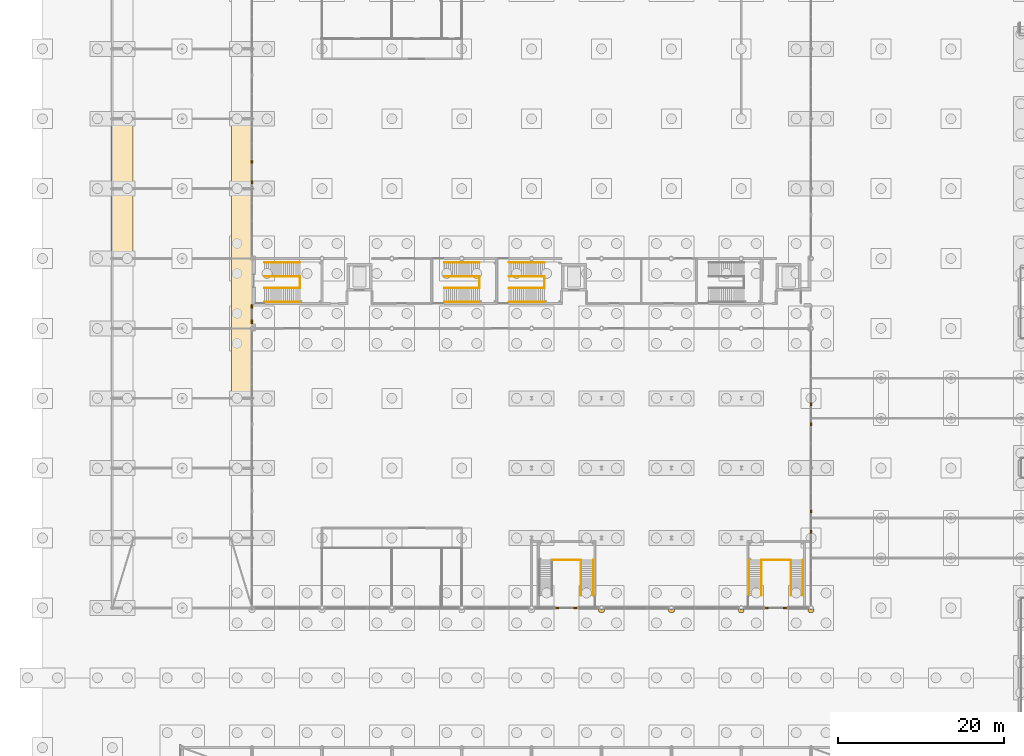
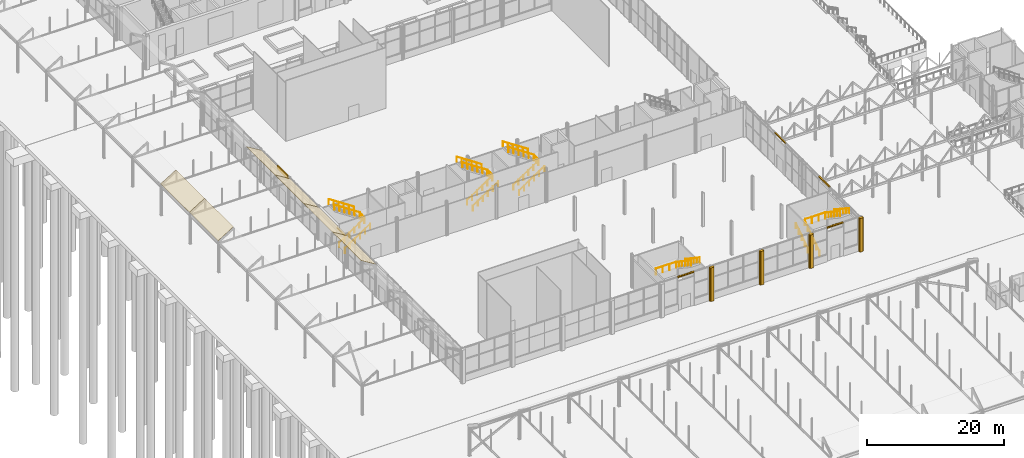
# One storey, part 195 of 212: 23 railings, 16 coverings.
"""IFC4 building model written with IfcOpenShell, lengths in metres."""

import ifcopenshell
import ifcopenshell.guid

model = None  # the IFC model being written
_history = None  # IfcOwnerHistory: only IFC2X3 demands one
_inside = {}  # id of a spatial element -> (the spatial element, [elements in it])
_under = {}  # id of a project, library or spatial element -> (it, [spatial elements below it])
_declared = {}  # id of a project -> (the project, [libraries it declares])
_typed = {}  # id of a type object -> (the type object, [elements of that type])
_made_of = {}  # id of a material, layer set ... -> (it, [elements and type objects made of it])


def new_model(schema):
    """Start an empty IFC model of exactly this schema.

    Asked for "IFC4X3", IfcOpenShell would pick the latest addendum, in which some entities
    have other attributes; the version numbers below select the first issue.
    IFC2X3 requires an IfcOwnerHistory on every rooted entity: one is made here for all.
    """
    global model, _history
    if schema == "IFC4X3":
        model = ifcopenshell.file(schema_version=(4, 3, 0, 0))
    else:
        model = ifcopenshell.file(schema=schema)
    _inside.clear()
    _under.clear()
    _declared.clear()
    _typed.clear()
    _made_of.clear()
    _history = None
    if model.schema == "IFC2X3":
        org = make("IfcOrganization", Name="unknown")
        user = make(
            "IfcPersonAndOrganization",
            ThePerson=make("IfcPerson", FamilyName="unknown"),
            TheOrganization=org,
        )
        app = make(
            "IfcApplication",
            ApplicationDeveloper=org,
            Version="unknown",
            ApplicationFullName="unknown",
            ApplicationIdentifier="unknown",
        )
        _history = make(
            "IfcOwnerHistory",
            OwningUser=user,
            OwningApplication=app,
            ChangeAction="ADDED",
            CreationDate=0,
        )
    return model


def make(cls, **values):
    """One entity of the class cls with the attributes given. An attribute that is None is left unset."""
    return model.create_entity(
        cls, **{name: value for name, value in values.items() if value is not None}
    )


def rooted(cls, **values):
    """An entity with a GlobalId (a new one), such as an element, a storey or a relation."""
    return make(cls, GlobalId=ifcopenshell.guid.new(), OwnerHistory=_history, **values)


def si_unit(unit_type, name, prefix=None):
    """IfcSIUnit, for example si_unit("LENGTHUNIT", "METRE", prefix="MILLI")."""
    return make("IfcSIUnit", UnitType=unit_type, Prefix=prefix, Name=name)


def assignment(units):
    """IfcUnitAssignment: the units of a project."""
    return None if units is None else make("IfcUnitAssignment", Units=units)


def point(xyz):
    """IfcCartesianPoint."""
    return None if xyz is None else make("IfcCartesianPoint", Coordinates=xyz)


def direction(xyz):
    """IfcDirection."""
    return None if xyz is None else make("IfcDirection", DirectionRatios=xyz)


def frame(location, z_axis=None, x_axis=None):
    """IfcAxis2Placement3D, a coordinate frame: its origin and axes. An axis left out is left unset."""
    return make(
        "IfcAxis2Placement3D",
        Location=point(location),
        Axis=direction(z_axis),
        RefDirection=direction(x_axis),
    )


def frame_2d(location, x_axis=None):
    """IfcAxis2Placement2D, a coordinate frame in the plane: its origin and x axis."""
    return make(
        "IfcAxis2Placement2D", Location=point(location), RefDirection=direction(x_axis)
    )


def origin():
    """The frame at (0, 0, 0) with its axes left unset."""
    return frame((0.0, 0.0, 0.0))


def origin_2d():
    """The frame at (0, 0) in the plane with its x axis left unset."""
    return frame_2d((0.0, 0.0))


def place(relative_to, where):
    """IfcLocalPlacement: puts the frame where relative to a parent placement (None: the world)."""
    return make(
        "IfcLocalPlacement", PlacementRelTo=relative_to, RelativePlacement=where
    )


def context(
    kind, dimensions, precision=None, world=None, true_north=None, identifier=None
):
    """IfcGeometricRepresentationContext, for example the 3D "Model" context."""
    return make(
        "IfcGeometricRepresentationContext",
        ContextIdentifier=identifier,
        ContextType=kind,
        CoordinateSpaceDimension=dimensions,
        Precision=precision,
        WorldCoordinateSystem=world,
        TrueNorth=true_north,
    )


def subcontext(parent, identifier, kind, view, scale=None):
    """IfcGeometricRepresentationSubContext, for example "Body" below "Model"."""
    return make(
        "IfcGeometricRepresentationSubContext",
        ContextIdentifier=identifier,
        ContextType=kind,
        ParentContext=parent,
        TargetScale=scale,
        TargetView=view,
    )


def project(units=None, contexts=None):
    """IfcProject with its units and contexts."""
    return rooted(
        "IfcProject",
        Name="project",
        RepresentationContexts=contexts,
        UnitsInContext=assignment(units),
    )


def spatial(cls, under=None, at=None, **own):
    """A site, building, storey or space (cls), placed at a placement, below another one or the project."""
    s = rooted(cls, ObjectPlacement=at, **own)
    if under is not None:
        _under.setdefault(under.id(), (under, []))[1].append(s)
    return s


def polyline(points):
    """IfcPolyline through the points."""
    return make("IfcPolyline", Points=[point(p) for p in points])


def profile(cls, at=None, kind="AREA", **sizes):
    """A parametric profile (cls). Its sizes go by their IFC names, for example OverallWidth=200.0."""
    return make(cls, ProfileType=kind, Position=at, **sizes)


def rectangle(**sizes):
    """IfcRectangleProfileDef."""
    return profile("IfcRectangleProfileDef", **sizes)


def circle(**sizes):
    """IfcCircleProfileDef."""
    return profile("IfcCircleProfileDef", **sizes)


def outline(outer, holes=None, kind="AREA"):
    """IfcArbitraryClosedProfileDef: a profile drawn as a closed curve; with holes, ...WithVoids."""
    if holes is None:
        return make("IfcArbitraryClosedProfileDef", ProfileType=kind, OuterCurve=outer)
    return make(
        "IfcArbitraryProfileDefWithVoids",
        ProfileType=kind,
        OuterCurve=outer,
        InnerCurves=holes,
    )


def extrude(swept, where, along, depth):
    """IfcExtrudedAreaSolid: the profile swept, set in the frame where, extruded along a direction by depth."""
    return make(
        "IfcExtrudedAreaSolid",
        SweptArea=swept,
        Position=where,
        ExtrudedDirection=direction(along),
        Depth=depth,
    )


def shape(context_of_items, identifier, shape_type, items):
    """IfcShapeRepresentation: the items that make up one representation, for example the "Body"."""
    return make(
        "IfcShapeRepresentation",
        ContextOfItems=context_of_items,
        RepresentationIdentifier=identifier,
        RepresentationType=shape_type,
        Items=items,
    )


def material(Name=None, Category=None):
    """IfcMaterial."""
    return make("IfcMaterial", Name=Name, Category=Category)


def layer(
    of_material, thickness, ventilated=None, Name=None, Category=None, Priority=None
):
    """IfcMaterialLayer: one layer of a wall or slab, of a material (None: an air gap)."""
    return make(
        "IfcMaterialLayer",
        Material=of_material,
        LayerThickness=thickness,
        IsVentilated=ventilated,
        Name=Name,
        Category=Category,
        Priority=Priority,
    )


def layer_set(layers, Name=None):
    """IfcMaterialLayerSet."""
    return make("IfcMaterialLayerSet", MaterialLayers=layers, LayerSetName=Name)


def made_of(thing, what):
    """Note that an element or type object is made of a material, layer set ...; save() writes the relation."""
    if what is not None:
        _made_of.setdefault(what.id(), (what, []))[1].append(thing)
    return thing


def type_object(cls, material=None, **own):
    """A type object (cls), such as IfcWallType, which elements share."""
    return made_of(rooted(cls, **own), material)


def element(
    cls,
    number,
    at=None,
    inside=None,
    cuts=None,
    type_object=None,
    material=None,
    context=None,
    identifier="Body",
    shape_type=None,
    held_by="IfcProductDefinitionShape",
    body=None,
    shapes=None,
    **own,
):
    """One element of the class cls, such as IfcWall. Its Tag is "e" and its number.

    at: its placement. inside: the storey or other place that contains it. cuts: it is an
    opening in that element (IfcRelVoidsElement). A single representation is given by context,
    identifier, shape_type and body (its items); several are given by shapes. held_by: the class
    of the entity that holds the representations. save() writes the other relations.
    """
    e = rooted(cls, Tag="e%d" % number, ObjectPlacement=at, **own)
    if body is not None:
        shapes = [shape(context, identifier, shape_type, body)]
    if shapes is not None:
        e.Representation = make(held_by, Representations=shapes)
    if inside is not None:
        _inside.setdefault(inside.id(), (inside, []))[1].append(e)
    if cuts is not None:
        rooted(
            "IfcRelVoidsElement", RelatingBuildingElement=cuts, RelatedOpeningElement=e
        )
    if type_object is not None:
        _typed.setdefault(type_object.id(), (type_object, []))[1].append(e)
    return made_of(e, material)


def aggregate(whole, parts):
    """IfcRelAggregates: a whole, such as a stair, and the parts it consists of."""
    return rooted("IfcRelAggregates", RelatingObject=whole, RelatedObjects=parts)


def save(model, path):
    """Write the relations noted so far, then the file.

    IfcRelAggregates (storeys below a building ...), IfcRelContainedInSpatialStructure (elements
    in a storey), IfcRelDefinesByType, IfcRelAssociatesMaterial and IfcRelDeclares: one each for
    every whole, place, type object, material and project.
    """
    for whole, parts in _under.values():
        aggregate(whole, parts)
    for where, things in _inside.values():
        rooted(
            "IfcRelContainedInSpatialStructure",
            RelatedElements=things,
            RelatingStructure=where,
        )
    for kind, things in _typed.values():
        rooted("IfcRelDefinesByType", RelatedObjects=things, RelatingType=kind)
    for what, things in _made_of.values():
        rooted("IfcRelAssociatesMaterial", RelatedObjects=things, RelatingMaterial=what)
    for by, libraries in _declared.values():
        rooted("IfcRelDeclares", RelatingContext=by, RelatedDefinitions=libraries)
    model.write(path)


model = new_model("IFC4")

# Units and contexts
model_context = context("Model", 3, precision=1e-05, world=origin(), true_north=direction((0.0, 1.0)))
body_context = subcontext(model_context, "Body", "Model", "MODEL_VIEW")
ifc_project = project(units=[si_unit("LENGTHUNIT", "METRE"), si_unit("AREAUNIT", "SQUARE_METRE"), si_unit("VOLUMEUNIT", "CUBIC_METRE"), si_unit("PLANEANGLEUNIT", "RADIAN"), si_unit("MASSUNIT", "GRAM", prefix="KILO")], contexts=[model_context])

# Site, building, storey
site_placement = place(None, origin())
site = spatial("IfcSite", under=ifc_project, at=site_placement, CompositionType="ELEMENT")
building_placement = place(site_placement, origin())
building = spatial("IfcBuilding", under=site, at=building_placement, Name="Catenary Quay Ferry Terminal", CompositionType="ELEMENT")
storey_placement = place(building_placement, origin())
storey = spatial("IfcBuildingStorey", under=building, at=storey_placement, Name="L00", CompositionType="ELEMENT", Elevation=0.0)

# Coverings
ifc_material_1 = material(Name="Ceramic tile")
ifc_layer_1 = layer(ifc_material_1, 0.0400390625)
ifc_layer_set_1 = layer_set([ifc_layer_1], Name="CL2")
covering_type_1 = type_object("IfcCoveringType", Name="CL2", PredefinedType="CLADDING", material=ifc_layer_set_1)
covering_1_placement = place(storey_placement, origin())
element("IfcCovering", 1, at=covering_1_placement, inside=storey, type_object=covering_type_1, Name="Ceramic pier casing", PredefinedType="CLADDING", context=body_context, shape_type="SweptSolid", body=[
    extrude(outline(polyline([(66.845947265625, 67.0458984375), (66.845947265625, 66.76611328125), (66.946044921875, 66.76611328125), (66.946044921875, 66.64599609375), (67.4541015625, 66.64599609375), (67.4541015625, 66.76611328125), (67.553955078125, 66.76611328125), (67.553955078125, 67.0458984375), (66.845947265625, 67.0458984375)])), origin(), (0.0, 0.0, 1.0), 6.0),
])
covering_2_placement = place(storey_placement, origin())
element("IfcCovering", 2, at=covering_2_placement, inside=storey, type_object=covering_type_1, Name="Ceramic pier casing", PredefinedType="CLADDING", context=body_context, shape_type="SweptSolid", body=[
    extrude(outline(polyline([(75.24609375, 67.0458984375), (75.24609375, 66.76611328125), (75.345947265625, 66.76611328125), (75.345947265625, 66.64599609375), (75.85400390625, 66.64599609375), (75.85400390625, 66.76611328125), (75.9541015625, 66.76611328125), (75.9541015625, 67.0458984375), (75.24609375, 67.0458984375)])), origin(), (0.0, 0.0, 1.0), 6.0),
])
covering_3_placement = place(storey_placement, origin())
element("IfcCovering", 3, at=covering_3_placement, inside=storey, type_object=covering_type_1, Name="Ceramic pier casing", PredefinedType="CLADDING", context=body_context, shape_type="SweptSolid", body=[
    extrude(outline(polyline([(83.64599609375, 67.0458984375), (83.64599609375, 66.76611328125), (83.74609375, 66.76611328125), (83.74609375, 66.64599609375), (84.25390625, 66.64599609375), (84.25390625, 66.76611328125), (84.35400390625, 66.76611328125), (84.35400390625, 67.0458984375), (83.64599609375, 67.0458984375)])), origin(), (0.0, 0.0, 1.0), 6.0),
])
covering_4_placement = place(storey_placement, origin())
element("IfcCovering", 4, at=covering_4_placement, inside=storey, type_object=covering_type_1, Name="Ceramic pier casing", PredefinedType="CLADDING", context=body_context, shape_type="SweptSolid", body=[
    extrude(outline(polyline([(92.0458984375, 67.0458984375), (92.0458984375, 66.76611328125), (92.14599609375, 66.76611328125), (92.14599609375, 66.64599609375), (92.654052734375, 66.64599609375), (92.654052734375, 66.76611328125), (92.75390625, 66.76611328125), (92.75390625, 67.0458984375), (92.0458984375, 67.0458984375)])), origin(), (0.0, 0.0, 1.0), 6.0),
])
ifc_material_2 = material(Name="Ceramic tile")
ifc_layer_2 = layer(ifc_material_2, 0.034912109375)
ifc_layer_set_2 = layer_set([ifc_layer_2], Name="CL5")
covering_type_2 = type_object("IfcCoveringType", Name="CL5", PredefinedType="CLADDING", material=ifc_layer_set_2)
for number, where, z_axis, x_axis, name in (
    (5, (92.39990234375, 77.550048828125, 5.80029296875), (0.0, 0.0, 1.0), (1.0, 0.0, 0.0), "Slot gable arrivals hall cladding CL5"),
    (6, (92.39990234375, 90.449951171875, 5.80029296875), (0.0, 0.0, 1.0), (1.0, 0.0, 0.0), "Slot gable arrivals hall cladding CL5"),
):
    element("IfcCovering", number, at=place(storey_placement, frame(where, z_axis=z_axis, x_axis=x_axis)), inside=storey, type_object=covering_type_2, Name=name, PredefinedType="CLADDING", context=body_context, shape_type="SweptSolid", body=[
        extrude(rectangle(XDim=0.199951171875, YDim=3.110107421875, at=origin_2d()), origin(), (0.0, 0.0, 1.0), 0.19970703125),
    ])
covering_5_placement = place(storey_placement, frame((25.199951171875, 119.550048828125, 5.32666015625), z_axis=(0.0, 0.0, 1.0), x_axis=(1.0, 0.0, 0.0)))
element("IfcCovering", 7, at=covering_5_placement, inside=storey, type_object=covering_type_2, Name="Slot gable departure hall cladding CL5", PredefinedType="CLADDING", context=body_context, shape_type="SweptSolid", body=[
    extrude(rectangle(XDim=0.199951171875, YDim=3.110107421875, at=origin_2d()), origin(), (0.0, 0.0, 1.0), 0.67333984375),
])
for number, where, z_axis, x_axis, name in (
    (8, (63.0, 67.199951171875, 5.80029296875), (0.0, 0.0, 1.0), (1.0, 0.0, 0.0), "Slot front hall cladding CL5"),
    (9, (88.199951171875, 67.199951171875, 5.80029296875), (0.0, 0.0, 1.0), (1.0, 0.0, 0.0), "Slot front hall cladding CL5"),
):
    element("IfcCovering", number, at=place(storey_placement, frame(where, z_axis=z_axis, x_axis=x_axis)), inside=storey, type_object=covering_type_2, Name=name, PredefinedType="CLADDING", context=body_context, shape_type="SweptSolid", body=[
        extrude(rectangle(XDim=2.699951171875, YDim=0.199951171875, at=origin_2d()), origin(), (0.0, 0.0, 1.0), 0.19970703125),
    ])
covering_6_placement = place(storey_placement, frame((25.199951171875, 102.5, 5.32666015625), z_axis=(0.0, 0.0, 1.0), x_axis=(1.0, 0.0, 0.0)))
element("IfcCovering", 10, at=covering_6_placement, inside=storey, type_object=covering_type_2, Name="Slot front spine corridor cladding CL5", PredefinedType="CLADDING", context=body_context, shape_type="SweptSolid", body=[
    extrude(rectangle(XDim=0.199951171875, YDim=2.300048828125, at=origin_2d()), origin(), (0.0, 0.0, 1.0), 0.0732421875),
])

# Railings
ifc_material_3 = material(Name="Steel and glass", Category="steel")
railing_type_1 = type_object("IfcRailingType", Name="GI1", PredefinedType="GUARDRAIL", material=ifc_material_3)
for number, where, name in (
    (11, (30.949951171875, 105.699951171875, 3.0), "TS1 landing guard GI279"),
    (12, (52.550048828125, 105.699951171875, 3.0), "TS2 landing guard GI289"),
    (13, (60.35009765625, 105.699951171875, 3.0), "TS4 landing guard GI309"),
):
    element("IfcRailing", number, at=place(storey_placement, frame(where)), inside=storey, type_object=railing_type_1, Name=name, PredefinedType="GUARDRAIL", context=body_context, shape_type="SweptSolid", body=[
        extrude(circle(Radius=0.02392578125, at=origin_2d()), frame((0.0, 0.0, 1.076171875), z_axis=(0.0, 1.0, 0.0), x_axis=(-1.0, 0.0, 0.0)), (0.0, 0.0, 1.0), 1.300048828125),
        extrude(circle(Radius=0.02099609375, at=origin_2d()), origin(), (0.0, 0.0, 1.0), 1.052001953125),
        extrude(circle(Radius=0.02099609375, at=origin_2d()), frame((0.0, 0.64990234375, 0.0)), (0.0, 0.0, 1.0), 1.052001953125),
        extrude(circle(Radius=0.02099609375, at=origin_2d()), frame((0.0, 1.300048828125, 0.0)), (0.0, 0.0, 1.0), 1.052001953125),
    ])
for number, where, name in (
    (14, (86.5, 72.949951171875, 3.0), "TS5 landing guard GI320"),
    (15, (61.300048828125, 72.949951171875, 3.0), "TS6 landing guard GI330"),
):
    element("IfcRailing", number, at=place(storey_placement, frame(where)), inside=storey, type_object=railing_type_1, Name=name, PredefinedType="GUARDRAIL", context=body_context, shape_type="SweptSolid", body=[
        extrude(circle(Radius=0.02392578125, at=origin_2d()), frame((0.0, 0.0, 1.076171875), z_axis=(1.0, 0.0, 0.0), x_axis=(0.0, 1.0, 0.0)), (0.0, 0.0, 1.0), 3.39990234375),
        extrude(circle(Radius=0.02099609375, at=origin_2d()), origin(), (0.0, 0.0, 1.0), 1.052001953125),
        extrude(circle(Radius=0.02099609375, at=origin_2d()), frame((1.13330078125, 0.0, 0.0)), (0.0, 0.0, 1.0), 1.052001953125),
        extrude(circle(Radius=0.02099609375, at=origin_2d()), frame((2.2666015625, 0.0, 0.0)), (0.0, 0.0, 1.0), 1.052001953125),
        extrude(circle(Radius=0.02099609375, at=origin_2d()), frame((3.39990234375, 0.0, 0.0)), (0.0, 0.0, 1.0), 1.052001953125),
    ])
ifc_material_4 = material(Name="Stainless steel", Category="steel")
railing_type_2 = type_object("IfcRailingType", Name="HR1", PredefinedType="HANDRAIL", material=ifc_material_4)
for number, where, name in (
    (16, (26.699951171875, 103.9599609375, 0.166748046875), "TS1 F1A handrail HR274"),
    (17, (26.699951171875, 105.639892578125, 0.166748046875), "TS1 F1B handrail HR275"),
):
    element("IfcRailing", number, at=place(storey_placement, frame(where)), inside=storey, type_object=railing_type_2, Name=name, PredefinedType="HANDRAIL", context=body_context, shape_type="SweptSolid", body=[
        extrude(circle(Radius=0.02392578125, at=origin_2d()), frame((0.0, 0.0, 0.8759765625), z_axis=(0.832057647715, 0.0, 0.554689166001), x_axis=(0.0, 1.0, 0.0)), (0.0, 0.0, 1.0), 5.10791015625),
        extrude(circle(Radius=0.02099609375, at=origin_2d()), origin(), (0.0, 0.0, 1.0), 0.851806640625),
        extrude(circle(Radius=0.02099609375, at=origin_2d()), frame((0.85009765625, 0.0, 0.566650390625)), (0.0, 0.0, 1.0), 0.851806640625),
        extrude(circle(Radius=0.02099609375, at=origin_2d()), frame((1.699951171875, 0.0, 1.13330078125)), (0.0, 0.0, 1.0), 0.851806640625),
        extrude(circle(Radius=0.02099609375, at=origin_2d()), frame((2.550048828125, 0.0, 1.699951171875)), (0.0, 0.0, 1.0), 0.851806640625),
        extrude(circle(Radius=0.02099609375, at=origin_2d()), frame((3.39990234375, 0.0, 2.2666015625)), (0.0, 0.0, 1.0), 0.851806640625),
        extrude(circle(Radius=0.02099609375, at=origin_2d()), frame((4.25, 0.0, 2.833251953125)), (0.0, 0.0, 1.0), 0.851806640625),
    ])
for number, where, name in (
    (18, (30.949951171875, 107.06005859375, 3.166748046875), "TS1 F2A handrail HR276"),
    (19, (30.949951171875, 108.739990234375, 3.166748046875), "TS1 F2B handrail HR277"),
):
    element("IfcRailing", number, at=place(storey_placement, frame(where)), inside=storey, type_object=railing_type_2, Name=name, PredefinedType="HANDRAIL", context=body_context, shape_type="SweptSolid", body=[
        extrude(circle(Radius=0.02392578125, at=origin_2d()), frame((0.0, 0.0, 0.8759765625), z_axis=(-0.832057647715, 0.0, 0.554689166001), x_axis=(0.0, -1.0, 0.0)), (0.0, 0.0, 1.0), 5.10791015625),
        extrude(circle(Radius=0.02099609375, at=origin_2d()), origin(), (0.0, 0.0, 1.0), 0.851806640625),
        extrude(circle(Radius=0.02099609375, at=origin_2d()), frame((-0.85009765625, 0.0, 0.566650390625)), (0.0, 0.0, 1.0), 0.851806640625),
        extrude(circle(Radius=0.02099609375, at=origin_2d()), frame((-1.699951171875, 0.0, 1.13330078125)), (0.0, 0.0, 1.0), 0.851806640625),
        extrude(circle(Radius=0.02099609375, at=origin_2d()), frame((-2.550048828125, 0.0, 1.699951171875)), (0.0, 0.0, 1.0), 0.851806640625),
        extrude(circle(Radius=0.02099609375, at=origin_2d()), frame((-3.39990234375, 0.0, 2.2666015625)), (0.0, 0.0, 1.0), 0.851806640625),
        extrude(circle(Radius=0.02099609375, at=origin_2d()), frame((-4.25, 0.0, 2.833251953125)), (0.0, 0.0, 1.0), 0.851806640625),
    ])
for number, where, name in (
    (20, (48.300048828125, 103.9599609375, 0.166748046875), "TS2 F1A handrail HR284"),
    (21, (48.300048828125, 105.639892578125, 0.166748046875), "TS2 F1B handrail HR285"),
):
    element("IfcRailing", number, at=place(storey_placement, frame(where)), inside=storey, type_object=railing_type_2, Name=name, PredefinedType="HANDRAIL", context=body_context, shape_type="SweptSolid", body=[
        extrude(circle(Radius=0.02392578125, at=origin_2d()), frame((0.0, 0.0, 0.8759765625), z_axis=(0.832057647715, 0.0, 0.554689166001), x_axis=(0.0, 1.0, 0.0)), (0.0, 0.0, 1.0), 5.10791015625),
        extrude(circle(Radius=0.02099609375, at=origin_2d()), origin(), (0.0, 0.0, 1.0), 0.851806640625),
        extrude(circle(Radius=0.02099609375, at=origin_2d()), frame((0.85009765625, 0.0, 0.566650390625)), (0.0, 0.0, 1.0), 0.851806640625),
        extrude(circle(Radius=0.02099609375, at=origin_2d()), frame((1.699951171875, 0.0, 1.13330078125)), (0.0, 0.0, 1.0), 0.851806640625),
        extrude(circle(Radius=0.02099609375, at=origin_2d()), frame((2.550048828125, 0.0, 1.699951171875)), (0.0, 0.0, 1.0), 0.851806640625),
        extrude(circle(Radius=0.02099609375, at=origin_2d()), frame((3.39990234375, 0.0, 2.2666015625)), (0.0, 0.0, 1.0), 0.851806640625),
        extrude(circle(Radius=0.02099609375, at=origin_2d()), frame((4.25, 0.0, 2.833251953125)), (0.0, 0.0, 1.0), 0.851806640625),
    ])
for number, where, name in (
    (22, (52.550048828125, 107.06005859375, 3.166748046875), "TS2 F2A handrail HR286"),
    (23, (52.550048828125, 108.739990234375, 3.166748046875), "TS2 F2B handrail HR287"),
):
    element("IfcRailing", number, at=place(storey_placement, frame(where)), inside=storey, type_object=railing_type_2, Name=name, PredefinedType="HANDRAIL", context=body_context, shape_type="SweptSolid", body=[
        extrude(circle(Radius=0.02392578125, at=origin_2d()), frame((0.0, 0.0, 0.8759765625), z_axis=(-0.832057647715, 0.0, 0.554689166001), x_axis=(0.0, -1.0, 0.0)), (0.0, 0.0, 1.0), 5.10791015625),
        extrude(circle(Radius=0.02099609375, at=origin_2d()), origin(), (0.0, 0.0, 1.0), 0.851806640625),
        extrude(circle(Radius=0.02099609375, at=origin_2d()), frame((-0.85009765625, 0.0, 0.566650390625)), (0.0, 0.0, 1.0), 0.851806640625),
        extrude(circle(Radius=0.02099609375, at=origin_2d()), frame((-1.699951171875, 0.0, 1.13330078125)), (0.0, 0.0, 1.0), 0.851806640625),
        extrude(circle(Radius=0.02099609375, at=origin_2d()), frame((-2.550048828125, 0.0, 1.699951171875)), (0.0, 0.0, 1.0), 0.851806640625),
        extrude(circle(Radius=0.02099609375, at=origin_2d()), frame((-3.39990234375, 0.0, 2.2666015625)), (0.0, 0.0, 1.0), 0.851806640625),
        extrude(circle(Radius=0.02099609375, at=origin_2d()), frame((-4.25, 0.0, 2.833251953125)), (0.0, 0.0, 1.0), 0.851806640625),
    ])
for number, where, name in (
    (24, (56.10009765625, 103.9599609375, 0.166748046875), "TS4 F1A handrail HR304"),
    (25, (56.10009765625, 105.639892578125, 0.166748046875), "TS4 F1B handrail HR305"),
):
    element("IfcRailing", number, at=place(storey_placement, frame(where)), inside=storey, type_object=railing_type_2, Name=name, PredefinedType="HANDRAIL", context=body_context, shape_type="SweptSolid", body=[
        extrude(circle(Radius=0.02392578125, at=origin_2d()), frame((0.0, 0.0, 0.8759765625), z_axis=(0.832057647715, 0.0, 0.554689166001), x_axis=(0.0, 1.0, 0.0)), (0.0, 0.0, 1.0), 5.10791015625),
        extrude(circle(Radius=0.02099609375, at=origin_2d()), origin(), (0.0, 0.0, 1.0), 0.851806640625),
        extrude(circle(Radius=0.02099609375, at=origin_2d()), frame((0.85009765625, 0.0, 0.566650390625)), (0.0, 0.0, 1.0), 0.851806640625),
        extrude(circle(Radius=0.02099609375, at=origin_2d()), frame((1.699951171875, 0.0, 1.13330078125)), (0.0, 0.0, 1.0), 0.851806640625),
        extrude(circle(Radius=0.02099609375, at=origin_2d()), frame((2.550048828125, 0.0, 1.699951171875)), (0.0, 0.0, 1.0), 0.851806640625),
        extrude(circle(Radius=0.02099609375, at=origin_2d()), frame((3.39990234375, 0.0, 2.2666015625)), (0.0, 0.0, 1.0), 0.851806640625),
        extrude(circle(Radius=0.02099609375, at=origin_2d()), frame((4.25, 0.0, 2.833251953125)), (0.0, 0.0, 1.0), 0.851806640625),
    ])
for number, where, name in (
    (26, (60.35009765625, 107.06005859375, 3.166748046875), "TS4 F2A handrail HR306"),
    (27, (60.35009765625, 108.739990234375, 3.166748046875), "TS4 F2B handrail HR307"),
):
    element("IfcRailing", number, at=place(storey_placement, frame(where)), inside=storey, type_object=railing_type_2, Name=name, PredefinedType="HANDRAIL", context=body_context, shape_type="SweptSolid", body=[
        extrude(circle(Radius=0.02392578125, at=origin_2d()), frame((0.0, 0.0, 0.8759765625), z_axis=(-0.832057647715, 0.0, 0.554689166001), x_axis=(0.0, -1.0, 0.0)), (0.0, 0.0, 1.0), 5.10791015625),
        extrude(circle(Radius=0.02099609375, at=origin_2d()), origin(), (0.0, 0.0, 1.0), 0.851806640625),
        extrude(circle(Radius=0.02099609375, at=origin_2d()), frame((-0.85009765625, 0.0, 0.566650390625)), (0.0, 0.0, 1.0), 0.851806640625),
        extrude(circle(Radius=0.02099609375, at=origin_2d()), frame((-1.699951171875, 0.0, 1.13330078125)), (0.0, 0.0, 1.0), 0.851806640625),
        extrude(circle(Radius=0.02099609375, at=origin_2d()), frame((-2.550048828125, 0.0, 1.699951171875)), (0.0, 0.0, 1.0), 0.851806640625),
        extrude(circle(Radius=0.02099609375, at=origin_2d()), frame((-3.39990234375, 0.0, 2.2666015625)), (0.0, 0.0, 1.0), 0.851806640625),
        extrude(circle(Radius=0.02099609375, at=origin_2d()), frame((-4.25, 0.0, 2.833251953125)), (0.0, 0.0, 1.0), 0.851806640625),
    ])
for number, where, name in (
    (28, (84.9599609375, 68.699951171875, 0.166748046875), "TS5 F1A handrail HR315"),
    (29, (86.43994140625, 68.699951171875, 0.166748046875), "TS5 F1B handrail HR316"),
):
    element("IfcRailing", number, at=place(storey_placement, frame(where)), inside=storey, type_object=railing_type_2, Name=name, PredefinedType="HANDRAIL", context=body_context, shape_type="SweptSolid", body=[
        extrude(circle(Radius=0.02392578125, at=origin_2d()), frame((0.0, 0.0, 0.8759765625), z_axis=(0.0, 0.832057647715, 0.554689166001), x_axis=(-1.0, 0.0, 0.0)), (0.0, 0.0, 1.0), 5.10791015625),
        extrude(circle(Radius=0.02099609375, at=origin_2d()), origin(), (0.0, 0.0, 1.0), 0.851806640625),
        extrude(circle(Radius=0.02099609375, at=origin_2d()), frame((0.0, 0.85009765625, 0.566650390625)), (0.0, 0.0, 1.0), 0.851806640625),
        extrude(circle(Radius=0.02099609375, at=origin_2d()), frame((0.0, 1.699951171875, 1.13330078125)), (0.0, 0.0, 1.0), 0.851806640625),
        extrude(circle(Radius=0.02099609375, at=origin_2d()), frame((0.0, 2.550048828125, 1.699951171875)), (0.0, 0.0, 1.0), 0.851806640625),
        extrude(circle(Radius=0.02099609375, at=origin_2d()), frame((0.0, 3.39990234375, 2.2666015625)), (0.0, 0.0, 1.0), 0.851806640625),
        extrude(circle(Radius=0.02099609375, at=origin_2d()), frame((0.0, 4.25, 2.833251953125)), (0.0, 0.0, 1.0), 0.851806640625),
    ])
for number, where, name in (
    (30, (89.9599609375, 72.949951171875, 3.166748046875), "TS5 F2A handrail HR317"),
    (31, (91.43994140625, 72.949951171875, 3.166748046875), "TS5 F2B handrail HR318"),
    (32, (64.760009765625, 72.949951171875, 3.166748046875), "TS6 F2A handrail HR327"),
    (33, (66.239990234375, 72.949951171875, 3.166748046875), "TS6 F2B handrail HR328"),
):
    element("IfcRailing", number, at=place(storey_placement, frame(where)), inside=storey, type_object=railing_type_2, Name=name, PredefinedType="HANDRAIL", context=body_context, shape_type="SweptSolid", body=[
        extrude(circle(Radius=0.02392578125, at=origin_2d()), frame((0.0, 0.0, 0.8759765625), z_axis=(0.0, -0.832057647715, 0.554689166001), x_axis=(1.0, 0.0, 0.0)), (0.0, 0.0, 1.0), 5.10791015625),
        extrude(circle(Radius=0.02099609375, at=origin_2d()), origin(), (0.0, 0.0, 1.0), 0.851806640625),
        extrude(circle(Radius=0.02099609375, at=origin_2d()), frame((0.0, -0.85009765625, 0.566650390625)), (0.0, 0.0, 1.0), 0.851806640625),
        extrude(circle(Radius=0.02099609375, at=origin_2d()), frame((0.0, -1.699951171875, 1.13330078125)), (0.0, 0.0, 1.0), 0.851806640625),
        extrude(circle(Radius=0.02099609375, at=origin_2d()), frame((0.0, -2.550048828125, 1.699951171875)), (0.0, 0.0, 1.0), 0.851806640625),
        extrude(circle(Radius=0.02099609375, at=origin_2d()), frame((0.0, -3.39990234375, 2.2666015625)), (0.0, 0.0, 1.0), 0.851806640625),
        extrude(circle(Radius=0.02099609375, at=origin_2d()), frame((0.0, -4.25, 2.833251953125)), (0.0, 0.0, 1.0), 0.851806640625),
    ])

# Coverings
ifc_material_5 = material(Name="Laminated glass", Category="glass")
ifc_layer_3 = layer(ifc_material_5, 0.030029296875)
ifc_layer_set_3 = layer_set([ifc_layer_3], Name="RF2")
covering_type_3 = type_object("IfcCoveringType", Name="RF2", PredefinedType="ROOFING", material=ifc_layer_set_3)
covering_7_placement = place(storey_placement, frame((22.74169921875, 92.39990234375, 7.2158203125), z_axis=(0.524540171999, 0.0, 0.851385698705), x_axis=(0.0, 1.0, 0.0)))
element("IfcCovering", 34, at=covering_7_placement, inside=storey, type_object=covering_type_3, Name="Forecourt canopy roof", PredefinedType="ROOFING", context=body_context, shape_type="SweptSolid", body=[
    extrude(outline(polyline([(0.0, 0.0), (8.400146484375, 0.0), (8.400146484375, -3.0453570472743348), (0.0, -3.0453570472743348), (0.0, 0.0)])), origin(), (0.0, 0.0, -1.0), 0.03515625),
])
covering_8_placement = place(storey_placement, frame((22.74169921875, 100.800048828125, 7.2158203125), z_axis=(0.524540171999, 0.0, 0.851385698705), x_axis=(0.0, 1.0, 0.0)))
element("IfcCovering", 35, at=covering_8_placement, inside=storey, type_object=covering_type_3, Name="Forecourt canopy roof", PredefinedType="ROOFING", context=body_context, shape_type="SweptSolid", body=[
    extrude(outline(polyline([(0.0, 0.0), (8.39990234375, 0.0), (8.39990234375, -3.0453570472743348), (0.0, -3.0453570472743348), (0.0, 0.0)])), origin(), (0.0, 0.0, -1.0), 0.03515625),
])
for number, where, z_axis, x_axis, name in (
    (36, (8.265380859375, 109.199951171875, 5.618408203125), (-0.524540171999, 0.0, 0.851385698705), (0.0, 1.0, 0.0), "Forecourt canopy roof"),
    (37, (22.74169921875, 109.199951171875, 7.2158203125), (0.524540171999, 0.0, 0.851385698705), (0.0, 1.0, 0.0), "Forecourt canopy roof"),
):
    element("IfcCovering", number, at=place(storey_placement, frame(where, z_axis=z_axis, x_axis=x_axis)), inside=storey, type_object=covering_type_3, Name=name, PredefinedType="ROOFING", context=body_context, shape_type="SweptSolid", body=[
        extrude(outline(polyline([(0.0, 0.0), (8.400146484375, 0.0), (8.400146484375, -3.0453570472743348), (0.0, -3.0453570472743348), (0.0, 0.0)])), origin(), (0.0, 0.0, -1.0), 0.03515625),
    ])
for number, where, z_axis, x_axis, name in (
    (38, (8.265380859375, 117.60009765625, 5.618408203125), (-0.524540171999, 0.0, 0.851385698705), (0.0, 1.0, 0.0), "Forecourt canopy roof"),
    (39, (22.74169921875, 117.60009765625, 7.2158203125), (0.524540171999, 0.0, 0.851385698705), (0.0, 1.0, 0.0), "Forecourt canopy roof"),
):
    element("IfcCovering", number, at=place(storey_placement, frame(where, z_axis=z_axis, x_axis=x_axis)), inside=storey, type_object=covering_type_3, Name=name, PredefinedType="ROOFING", context=body_context, shape_type="SweptSolid", body=[
        extrude(outline(polyline([(0.0, 0.0), (8.39990234375, 0.0), (8.39990234375, -3.0453570472743348), (0.0, -3.0453570472743348), (0.0, 0.0)])), origin(), (0.0, 0.0, -1.0), 0.03515625),
    ])

save(model, "model.ifc")
